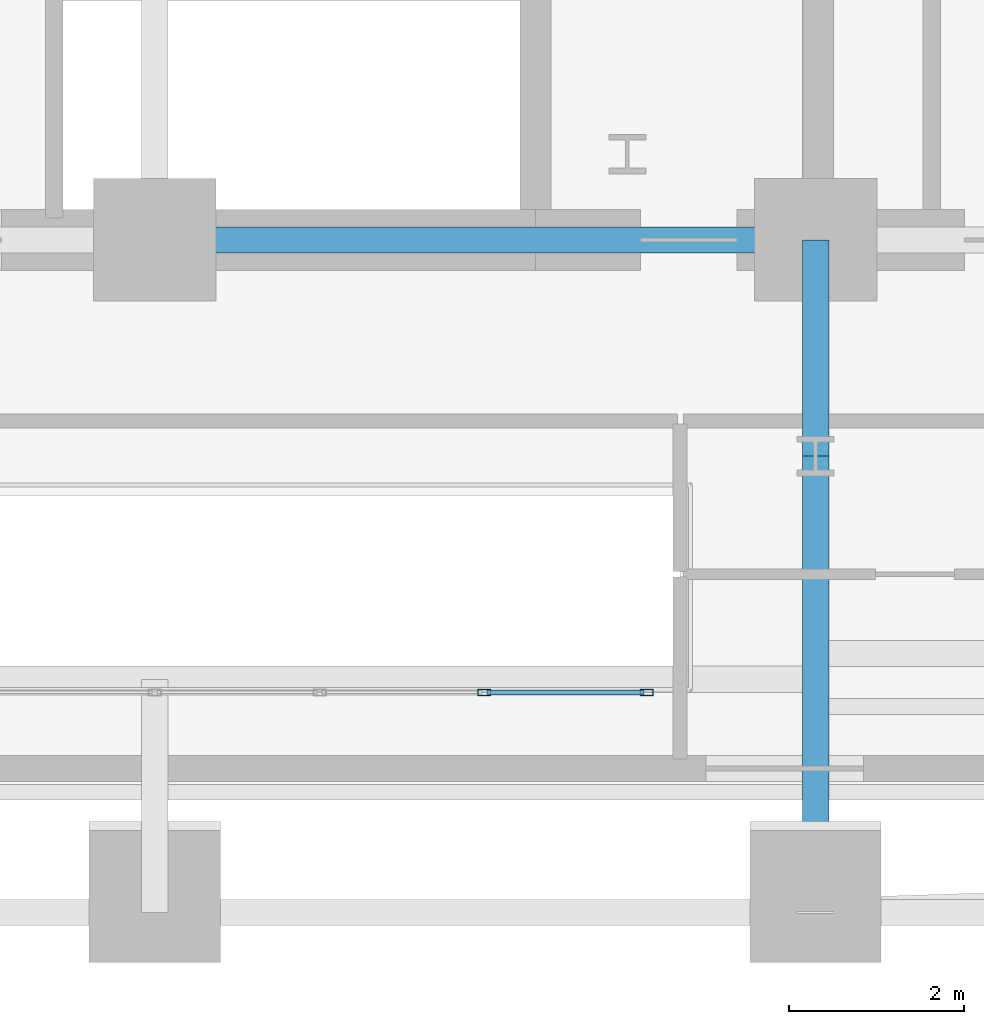
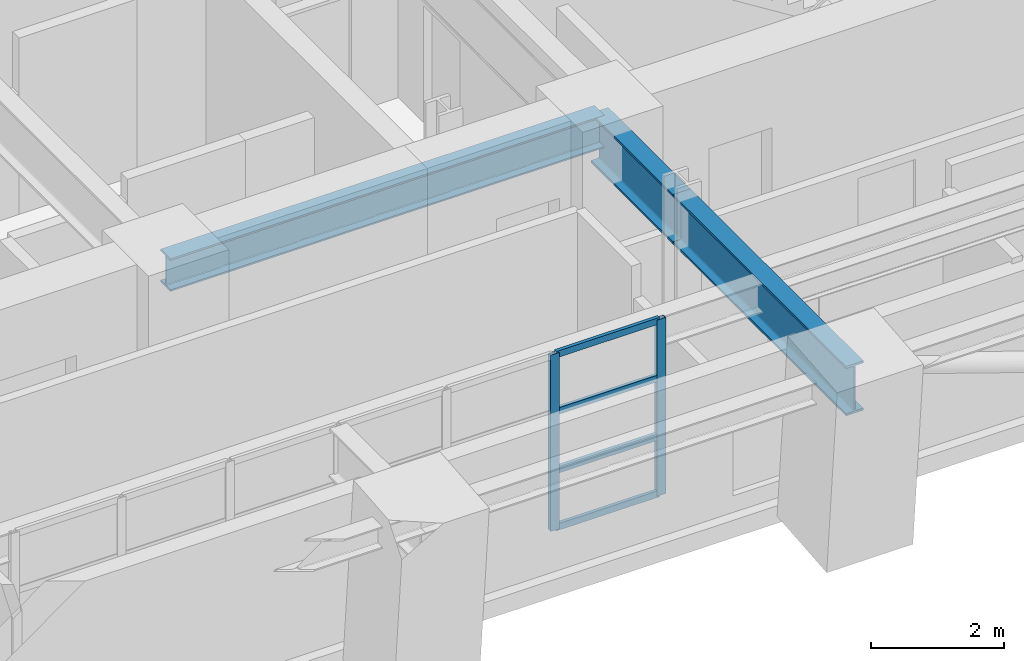
# One storey, part 5 of 16: 6 members, 3 beams, 1 element without a shape of its own.
"""IFC4 building model written with IfcOpenShell, lengths in metres."""

from ifc_helpers import new_model, si_unit, direction, frame, origin, origin_2d, place, context, subcontext, project, spatial, hollow_rectangle, i_section, extrude, material, layer, layer_set, material_profile, profile_set, type_object, element, aggregate, save


model = new_model("IFC4")

# Units and contexts
model_context = context("Model", 3, precision=1e-05, world=origin(), true_north=direction((0.0, 1.0)))
body_context = subcontext(model_context, "Body", "Model", "MODEL_VIEW")
ifc_project = project(units=[si_unit("LENGTHUNIT", "METRE"), si_unit("AREAUNIT", "SQUARE_METRE"), si_unit("VOLUMEUNIT", "CUBIC_METRE"), si_unit("PLANEANGLEUNIT", "RADIAN"), si_unit("MASSUNIT", "GRAM", prefix="KILO")], contexts=[model_context])

# Site, building, storey
site_placement = place(None, origin())
site = spatial("IfcSite", under=ifc_project, at=site_placement, CompositionType="ELEMENT")
building_placement = place(site_placement, origin())
building = spatial("IfcBuilding", under=site, at=building_placement, Name="Zarnavel Station Tower", CompositionType="ELEMENT")
storey_placement = place(building_placement, frame((0.0, 0.0, 64.0)))
storey = spatial("IfcBuildingStorey", under=building, at=storey_placement, Name="L17", CompositionType="ELEMENT", Elevation=64.0)

# Curtain wall, members
ifc_material_1 = material(Name="Aluminium Dark Anodised and Solar-Control Glass", Category="aluminium")
ifc_layer = layer(ifc_material_1, 0.179931640625)
ifc_layer_set = layer_set([ifc_layer], Name="CWS2")
curtain_wall_type = type_object("IfcCurtainWallType", Name="CWS2", PredefinedType="NOTDEFINED", material=ifc_layer_set)
curtain_wall_placement = place(storey_placement, origin())
curtain_wall = element("IfcCurtainWall", 1, at=curtain_wall_placement, inside=storey, type_object=curtain_wall_type, Name="L17 Curtain Wall CWS2-L17-AS", PredefinedType="NOTDEFINED")
ifc_material_2 = material(Name="Steel S355J2 (Black Fluoropolymer Coated)", Category="steel")
ifc_material_profile_1 = material_profile(ifc_material_2, hollow_rectangle(XDim=0.074951171875, YDim=0.14990234375, WallThickness=0.00634765625, at=origin_2d()), Name="RHS150x75x6.3")
ifc_profile_set_1 = profile_set([ifc_material_profile_1], Name="Steel S355J2 (Black Fluoropolymer Coated)")
member_type_1 = type_object("IfcMemberType", Name="CWS2_MUL", PredefinedType="MULLION", material=ifc_profile_set_1)
member_1_placement = place(storey_placement, frame((32.566650390625, 22.64990234375, 0.0), z_axis=(0.0, 0.0, 1.0), x_axis=(0.0, 1.0, 0.0)))
member_1 = element("IfcMember", 2, at=member_1_placement, type_object=member_type_1, Name="CW2 mullion 6", PredefinedType="MULLION", context=body_context, shape_type="SweptSolid", body=[
    extrude(hollow_rectangle(XDim=0.074951171875, YDim=0.14990234375, WallThickness=0.00634765625, at=origin_2d()), origin(), (0.0, 0.0, 1.0), 3.239990234375),
])
member_2_placement = place(storey_placement, frame((34.419921875, 22.64990234375, 0.0), z_axis=(0.0, 0.0, 1.0), x_axis=(0.0, 1.0, 0.0)))
member_2 = element("IfcMember", 3, at=member_2_placement, type_object=member_type_1, Name="CW2 mullion 7", PredefinedType="MULLION", context=body_context, shape_type="SweptSolid", body=[
    extrude(hollow_rectangle(XDim=0.074951171875, YDim=0.14990234375, WallThickness=0.00634765625, at=origin_2d()), origin(), (0.0, 0.0, 1.0), 3.239990234375),
])
ifc_material_3 = material(Name="Steel S355J2 (Black Fluoropolymer Coated)", Category="steel")
ifc_material_profile_2 = material_profile(ifc_material_3, hollow_rectangle(XDim=0.06005859375, YDim=0.1201171875, WallThickness=0.0048828125, at=origin_2d()), Name="RHS120x60x5")
ifc_profile_set_2 = profile_set([ifc_material_profile_2], Name="Steel S355J2 (Black Fluoropolymer Coated)")
member_type_2 = type_object("IfcMemberType", Name="CWS2_TRN", PredefinedType="USERDEFINED", material=ifc_profile_set_2)
member_3_placement = place(storey_placement, frame((32.5966796875, 22.64990234375, 0.030029296875), z_axis=(1.0, 0.0, 0.0), x_axis=(0.0, 1.0, 0.0)))
member_3 = element("IfcMember", 4, at=member_3_placement, type_object=member_type_2, Name="CW2 transom 6.1", ObjectType="TRANSOM", PredefinedType="USERDEFINED", context=body_context, shape_type="SweptSolid", body=[
    extrude(hollow_rectangle(XDim=0.06005859375, YDim=0.1201171875, WallThickness=0.0048828125, at=origin_2d()), origin(), (0.0, 0.0, 1.0), 1.793212890625),
])
member_4_placement = place(storey_placement, frame((32.5966796875, 22.64990234375, 1.080078125), z_axis=(1.0, 0.0, 0.0), x_axis=(0.0, 1.0, 0.0)))
member_4 = element("IfcMember", 5, at=member_4_placement, type_object=member_type_2, Name="CW2 transom 6.2", ObjectType="TRANSOM", PredefinedType="USERDEFINED", context=body_context, shape_type="SweptSolid", body=[
    extrude(hollow_rectangle(XDim=0.06005859375, YDim=0.1201171875, WallThickness=0.0048828125, at=origin_2d()), origin(), (0.0, 0.0, 1.0), 1.793212890625),
])
member_5_placement = place(storey_placement, frame((32.5966796875, 22.64990234375, 2.159912109375), z_axis=(1.0, 0.0, 0.0), x_axis=(0.0, 1.0, 0.0)))
member_5 = element("IfcMember", 6, at=member_5_placement, type_object=member_type_2, Name="CW2 transom 6.3", ObjectType="TRANSOM", PredefinedType="USERDEFINED", context=body_context, shape_type="SweptSolid", body=[
    extrude(hollow_rectangle(XDim=0.06005859375, YDim=0.1201171875, WallThickness=0.0048828125, at=origin_2d()), origin(), (0.0, 0.0, 1.0), 1.793212890625),
])
member_6_placement = place(storey_placement, frame((32.5966796875, 22.64990234375, 3.2099609375), z_axis=(1.0, 0.0, 0.0), x_axis=(0.0, 1.0, 0.0)))
member_6 = element("IfcMember", 7, at=member_6_placement, type_object=member_type_2, Name="CW2 transom 6.4", ObjectType="TRANSOM", PredefinedType="USERDEFINED", context=body_context, shape_type="SweptSolid", body=[
    extrude(hollow_rectangle(XDim=0.06005859375, YDim=0.1201171875, WallThickness=0.0048828125, at=origin_2d()), origin(), (0.0, 0.0, 1.0), 1.793212890625),
])
aggregate(curtain_wall, [member_1, member_2, member_3, member_4, member_5, member_6])

# Beams
ifc_material_4 = material(Name="Steel S355J2", Category="steel")
ifc_material_profile_3 = material_profile(ifc_material_4, i_section(OverallWidth=0.300048828125, OverallDepth=0.60009765625, WebThickness=0.015380859375, FlangeThickness=0.030029296875, FilletRadius=0.027099609375, at=origin_2d()), Name="HEB600")
ifc_profile_set_3 = profile_set([ifc_material_profile_3], Name="Steel S355J2")
beam_type_1 = type_object("IfcBeamType", Name="FG_HEB600", PredefinedType="USERDEFINED", material=ifc_profile_set_3)
beam_1_placement = place(storey_placement, frame((28.800048828125, 27.820068359375, 2.93994140625), z_axis=(1.0, 0.0, 0.0), x_axis=(0.0, 1.0, 0.0)))
element("IfcBeam", 8, at=beam_1_placement, inside=storey, type_object=beam_type_1, Name="L17 Core Front Coupling Beam 3", ObjectType="GIRDER", PredefinedType="USERDEFINED", context=body_context, shape_type="SweptSolid", body=[
    extrude(i_section(OverallWidth=0.300048828125, OverallDepth=0.60009765625, WebThickness=0.015380859375, FlangeThickness=0.030029296875, FilletRadius=0.027099609375, at=origin_2d()), origin(), (0.0, 0.0, 1.0), 7.550048828125),
])
ifc_material_5 = material(Name="Steel S460M", Category="steel")
ifc_material_profile_4 = material_profile(ifc_material_5, i_section(OverallWidth=0.302001953125, OverallDepth=0.909912109375, WebThickness=0.02099609375, FlangeThickness=0.0400390625, FilletRadius=0.030029296875, at=origin_2d()), Name="HEM900")
ifc_profile_set_4 = profile_set([ifc_material_profile_4], Name="Steel S460M")
beam_type_2 = type_object("IfcBeamType", Name="TG_HEM900", PredefinedType="USERDEFINED", material=ifc_profile_set_4)
beam_2_placement = place(storey_placement, frame((36.35009765625, 20.134765625, 2.784912109375), z_axis=(0.0, 1.0, 0.0), x_axis=(-1.0, 0.0, 0.0)))
element("IfcBeam", 9, at=beam_2_placement, inside=storey, type_object=beam_type_2, Name="L17 South-Zone NS Girder 4", ObjectType="GIRDER", PredefinedType="USERDEFINED", context=body_context, shape_type="SweptSolid", body=[
    extrude(i_section(OverallWidth=0.302001953125, OverallDepth=0.909912109375, WebThickness=0.02099609375, FlangeThickness=0.0400390625, FilletRadius=0.030029296875, at=origin_2d()), origin(), (0.0, 0.0, 1.0), 5.21533203125),
])
beam_3_placement = place(storey_placement, frame((36.35009765625, 25.35009765625, 2.784912109375), z_axis=(0.0, 1.0, 0.0), x_axis=(-1.0, 0.0, 0.0)))
element("IfcBeam", 10, at=beam_3_placement, inside=storey, type_object=beam_type_2, Name="L17 Inner-Zone NS Girder 4", ObjectType="GIRDER", PredefinedType="USERDEFINED", context=body_context, shape_type="SweptSolid", body=[
    extrude(i_section(OverallWidth=0.302001953125, OverallDepth=0.909912109375, WebThickness=0.02099609375, FlangeThickness=0.0400390625, FilletRadius=0.030029296875, at=origin_2d()), origin(), (0.0, 0.0, 1.0), 2.469970703125),
])

save(model, "model.ifc")
